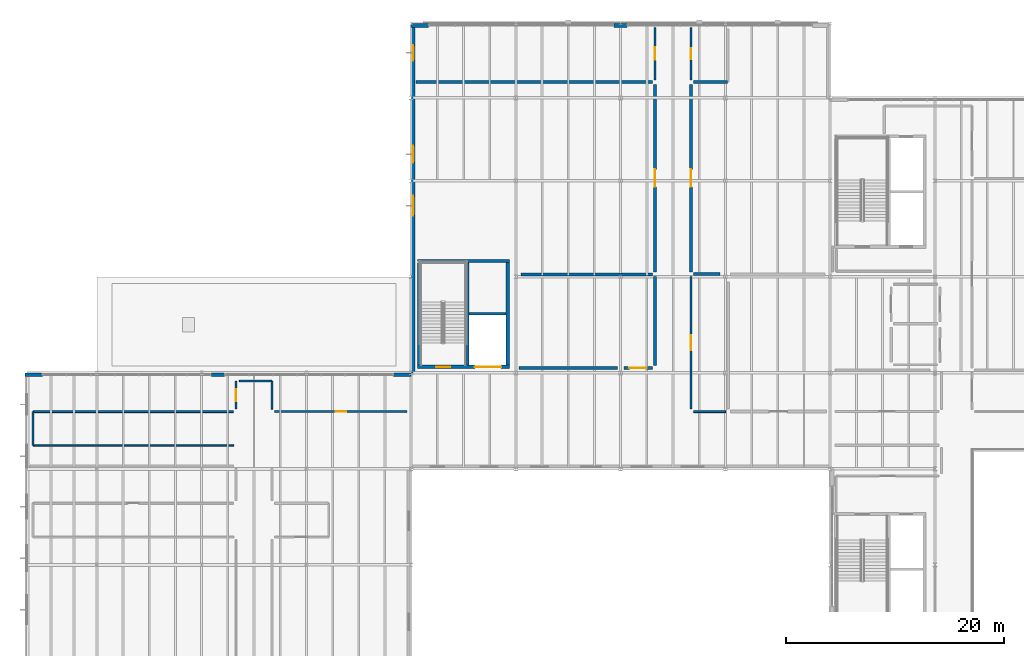
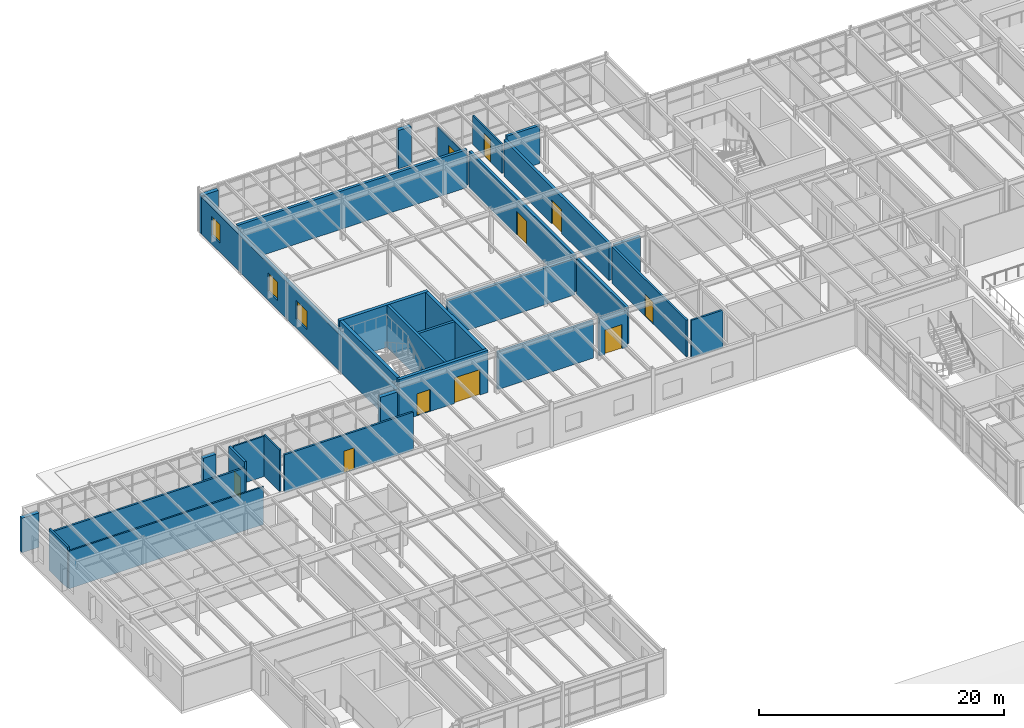
# One storey, part 53 of 69: 32 walls, 10 doors, 3 windows, 13 openings.
"""IFC4 building model written with IfcOpenShell, lengths in metres."""

from ifc_helpers import new_model, si_unit, direction, frame, frame_2d, origin, place, context, subcontext, project, spatial, rectangle, extrude, material, layer, layer_set, type_object, element, fill, save


model = new_model("IFC4")

# Units and contexts
model_context = context("Model", 3, precision=1e-05, world=origin(), true_north=direction((0.0, 1.0)))
body_context = subcontext(model_context, "Body", "Model", "MODEL_VIEW")
ifc_project = project(units=[si_unit("LENGTHUNIT", "METRE"), si_unit("AREAUNIT", "SQUARE_METRE"), si_unit("VOLUMEUNIT", "CUBIC_METRE"), si_unit("PLANEANGLEUNIT", "RADIAN"), si_unit("MASSUNIT", "GRAM", prefix="KILO")], contexts=[model_context])

# Site, building, storey
site_placement = place(None, origin())
site = spatial("IfcSite", under=ifc_project, at=site_placement, CompositionType="ELEMENT")
building_placement = place(site_placement, origin())
building = spatial("IfcBuilding", under=site, at=building_placement, Name="Sarnbrook Museum", CompositionType="ELEMENT")
storey_placement = place(building_placement, frame((0.0, 0.0, 14.60009765625)))
storey = spatial("IfcBuildingStorey", under=building, at=storey_placement, Name="L03", CompositionType="ELEMENT", Elevation=14.60009765625)

# Wall, openings, doors
ifc_material_1 = material(Name="Concrete N50 (AS 3600, f'c = 50 MPa)", Category="concrete")
ifc_layer_1 = layer(ifc_material_1, 0.300048828125)
ifc_layer_set_1 = layer_set([ifc_layer_1], Name="Concrete N50 (AS 3600, f'c = 50 MPa)")
wall_type_1 = type_object("IfcWallType", Name="CoreWall_CWRC", PredefinedType="SHEAR", material=ifc_layer_set_1)
wall_1_placement = place(storey_placement, frame((43.0, 83.75, 0.0), z_axis=(0.0, 0.0, 1.0), x_axis=(1.0, 0.0, 0.0)))
wall_1 = element("IfcWall", 1, at=wall_1_placement, inside=storey, type_object=wall_type_1, Name="Core C6 Shear Wall S L03", PredefinedType="SHEAR", context=body_context, shape_type="SweptSolid", body=[
    extrude(rectangle(XDim=8.39990234375, YDim=0.300048828125, at=frame_2d((4.199951171875, 0.0))), origin(), (0.0, 0.0, 1.0), 4.204833984375),
])
opening_1_placement = place(wall_1_placement, frame((1.715087890625, 0.0, 0.0)))
opening_1 = element("IfcOpeningElement", 2, at=opening_1_placement, cuts=wall_1, Name="Opening D-ST-ST6-L03", PredefinedType="OPENING", context=body_context, shape_type="SweptSolid", body=[
    extrude(rectangle(XDim=1.25, YDim=2.199951171875, at=frame_2d((0.625, 1.10009765625))), frame((0.0, 0.16015625, 0.0), z_axis=(0.0, -1.0, 0.0), x_axis=(1.0, 0.0, 0.0)), (0.0, 0.0, 1.0), 0.320068359375),
])
opening_2_placement = place(wall_1_placement, frame((5.25, 0.0, 0.0)))
opening_2 = element("IfcOpeningElement", 3, at=opening_2_placement, cuts=wall_1, Name="Opening LD-GL2-L03", PredefinedType="OPENING", context=body_context, shape_type="SweptSolid", body=[
    extrude(rectangle(XDim=2.39990234375, YDim=2.550048828125, at=frame_2d((1.199951171875, 1.27490234375))), frame((0.0, 0.16015625, 0.0), z_axis=(0.0, -1.0, 0.0), x_axis=(1.0, 0.0, 0.0)), (0.0, 0.0, 1.0), 0.320068359375),
])
ifc_material_2 = material(Name="Tasmanian Oak Acoustic Timber", Category="wood")
door_type_1 = type_object("IfcDoorType", Name="FireDoor_FD120", OperationType="NOTDEFINED", PredefinedType="DOOR", material=ifc_material_2)
door_1_placement = place(opening_1_placement, origin())
door_1 = element("IfcDoor", 4, at=door_1_placement, inside=storey, type_object=door_type_1, Name="Exit Stair ST6 Fire Door L03", OperationType="SINGLE_SWING_LEFT", OverallHeight=2.199951171875, OverallWidth=1.25, PredefinedType="DOOR", context=body_context, shape_type="SweptSolid", body=[
    extrude(rectangle(XDim=1.25, YDim=2.199951171875, at=frame_2d((0.625, 1.10009765625))), frame((0.0, 0.02490234375, 0.0), z_axis=(0.0, -1.0, 0.0), x_axis=(1.0, 0.0, 0.0)), (0.0, 0.0, 1.0), 0.050048828125),
])
fill(opening_1, door_1)
ifc_material_3 = material(Name="Brushed Stainless Steel Grade 316", Category="steel")
door_type_2 = type_object("IfcDoorType", Name="LiftDoor_Goods240", OperationType="DOUBLE_DOOR_SLIDING", PredefinedType="DOOR", material=ifc_material_3)
door_2_placement = place(opening_2_placement, origin())
door_2 = element("IfcDoor", 5, at=door_2_placement, inside=storey, type_object=door_type_2, Name="Lift Landing Sliding Door LD-GL2-L03", OperationType="DOUBLE_DOOR_SLIDING", OverallHeight=2.550048828125, OverallWidth=2.39990234375, PredefinedType="DOOR", context=body_context, shape_type="SweptSolid", body=[
    extrude(rectangle(XDim=2.39990234375, YDim=2.550048828125, at=frame_2d((1.199951171875, 1.27490234375))), frame((0.0, 0.02490234375, 0.0), z_axis=(0.0, -1.0, 0.0), x_axis=(1.0, 0.0, 0.0)), (0.0, 0.0, 1.0), 0.050048828125),
])
fill(opening_2, door_2)

# Walls
wall_2_placement = place(storey_placement, frame((51.39990234375, 93.449951171875, 0.0), z_axis=(0.0, 0.0, 1.0), x_axis=(-1.0, 0.0, 0.0)))
element("IfcWall", 6, at=wall_2_placement, inside=storey, type_object=wall_type_1, Name="Core C6 Shear Wall N L03", PredefinedType="SHEAR", context=body_context, shape_type="SweptSolid", body=[
    extrude(rectangle(XDim=8.39990234375, YDim=0.300048828125, at=frame_2d((4.199951171875, 0.0))), origin(), (0.0, 0.0, 1.0), 4.204833984375),
])
for number, where, z_axis, x_axis, name in (
    (7, (51.25, 83.909912109375, 0.0), (0.0, 0.0, 1.0), (0.0, 1.0, 0.0), "Core C6 Shear Wall E L03"),
    (8, (43.14990234375, 93.2900390625, 0.0), (0.0, 0.0, 1.0), (0.0, -1.0, 0.0), "Core C6 Shear Wall W L03"),
):
    element("IfcWall", number, at=place(storey_placement, frame(where, z_axis=z_axis, x_axis=x_axis)), inside=storey, type_object=wall_type_1, Name=name, PredefinedType="SHEAR", context=body_context, shape_type="SweptSolid", body=[
        extrude(rectangle(XDim=9.380126953125, YDim=0.300048828125, at=frame_2d((4.68994140625, 0.0))), origin(), (0.0, 0.0, 1.0), 4.204833984375),
    ])

# Wall, opening, door
ifc_material_4 = material(Name="Concrete N40 (AS 3600, f'c = 40 MPa)", Category="concrete")
ifc_layer_2 = layer(ifc_material_4, 0.260009765625)
ifc_layer_set_2 = layer_set([ifc_layer_2], Name="Concrete N40 (AS 3600, f'c = 40 MPa)")
wall_type_2 = type_object("IfcWallType", Name="FireWall_FW240", PredefinedType="SOLIDWALL", material=ifc_layer_set_2)
wall_3_placement = place(storey_placement, frame((64.75, 109.6298828125, 0.0), z_axis=(0.0, 0.0, 1.0), x_axis=(0.0, -1.0, 0.0)))
wall_3 = element("IfcWall", 9, at=wall_3_placement, inside=storey, type_object=wall_type_2, Name="Interior Partition Wall L03-0696", PredefinedType="SOLIDWALL", context=body_context, shape_type="SweptSolid", body=[
    extrude(rectangle(XDim=17.179931640625, YDim=0.260009765625, at=frame_2d((8.58984375, 0.0))), origin(), (0.0, 0.0, 1.0), 3.64697265625),
])
opening_3_placement = place(wall_3_placement, frame((7.7900390625, 0.0, 0.0)))
opening_3 = element("IfcOpeningElement", 10, at=opening_3_placement, cuts=wall_3, Name="Opening D-L03-200", PredefinedType="OPENING", context=body_context, shape_type="SweptSolid", body=[
    extrude(rectangle(XDim=1.60009765625, YDim=2.39990234375, at=frame_2d((0.800048828125, 1.199951171875))), frame((0.0, 0.14013671875, 0.0), z_axis=(0.0, -1.0, 0.0), x_axis=(1.0, 0.0, 0.0)), (0.0, 0.0, 1.0), 0.280029296875),
])
ifc_material_5 = material(Name="Patinated Architectural Bronze")
door_type_3 = type_object("IfcDoorType", Name="FireDoor_FD240", OperationType="NOTDEFINED", PredefinedType="DOOR", material=ifc_material_5)
door_3_placement = place(opening_3_placement, origin())
door_3 = element("IfcDoor", 11, at=door_3_placement, inside=storey, type_object=door_type_3, Name="Collection Archive Vault L03-29 Door D-L03-200", OperationType="DOUBLE_DOOR_SINGLE_SWING", OverallHeight=2.39990234375, OverallWidth=1.60009765625, PredefinedType="DOOR", context=body_context, shape_type="SweptSolid", body=[
    extrude(rectangle(XDim=1.60009765625, YDim=2.39990234375, at=frame_2d((0.800048828125, 1.199951171875))), frame((0.0, 0.02490234375, 0.0), z_axis=(0.0, -1.0, 0.0), x_axis=(1.0, 0.0, 0.0)), (0.0, 0.0, 1.0), 0.050048828125),
])
fill(opening_3, door_3)

wall_4_placement = place(storey_placement, frame((64.52001953125, 83.64990234375, 0.0), z_axis=(0.0, 0.0, 1.0), x_axis=(-1.0, 0.0, 0.0)))
wall_4 = element("IfcWall", 12, at=wall_4_placement, inside=storey, type_object=wall_type_2, Name="Interior Partition Wall L03-0698", PredefinedType="SOLIDWALL", context=body_context, shape_type="SweptSolid", body=[
    extrude(rectangle(XDim=2.63525390625, YDim=0.260009765625, at=frame_2d((1.317626953125, 0.0))), origin(), (0.0, 0.0, 1.0), 3.722900390625),
])
opening_4_placement = place(wall_4_placement, frame((0.517578125, 0.0, 0.0)))
opening_4 = element("IfcOpeningElement", 13, at=opening_4_placement, cuts=wall_4, Name="Opening D-L03-202", PredefinedType="OPENING", context=body_context, shape_type="SweptSolid", body=[
    extrude(rectangle(XDim=1.60009765625, YDim=2.39990234375, at=frame_2d((0.800048828125, 1.199951171875))), frame((0.0, 0.14013671875, 0.0), z_axis=(0.0, -1.0, 0.0), x_axis=(1.0, 0.0, 0.0)), (0.0, 0.0, 1.0), 0.280029296875),
])
door_4_placement = place(opening_4_placement, origin())
door_4 = element("IfcDoor", 14, at=door_4_placement, inside=storey, type_object=door_type_3, Name="Collection Archive Vault L03-31 Door D-L03-202", OperationType="DOUBLE_DOOR_SINGLE_SWING", OverallHeight=2.39990234375, OverallWidth=1.60009765625, PredefinedType="DOOR", context=body_context, shape_type="SweptSolid", body=[
    extrude(rectangle(XDim=1.60009765625, YDim=2.39990234375, at=frame_2d((0.800048828125, 1.199951171875))), frame((0.0, 0.02490234375, 0.0), z_axis=(0.0, -1.0, 0.0), x_axis=(1.0, 0.0, 0.0)), (0.0, 0.0, 1.0), 0.050048828125),
])
fill(opening_4, door_4)

# Walls
wall_5_placement = place(storey_placement, frame((61.315185546875, 83.64990234375, 0.0), z_axis=(0.0, 0.0, 1.0), x_axis=(-1.0, 0.0, 0.0)))
element("IfcWall", 15, at=wall_5_placement, inside=storey, type_object=wall_type_2, Name="Interior Partition Wall L03-0699", PredefinedType="SOLIDWALL", context=body_context, shape_type="SweptSolid", body=[
    extrude(rectangle(XDim=9.030517578125, YDim=0.260009765625, at=frame_2d((4.51513671875, 0.0))), origin(), (0.0, 0.0, 1.0), 3.722900390625),
])
wall_6_placement = place(storey_placement, frame((64.75, 92.030029296875, 0.0), z_axis=(0.0, 0.0, 1.0), x_axis=(0.0, -1.0, 0.0)))
element("IfcWall", 16, at=wall_6_placement, inside=storey, type_object=wall_type_2, Name="Interior Partition Wall L03-0700", PredefinedType="SOLIDWALL", context=body_context, shape_type="SweptSolid", body=[
    extrude(rectangle(XDim=8.150146484375, YDim=0.260009765625, at=frame_2d((4.0751953125, 0.0))), origin(), (0.0, 0.0, 1.0), 3.64697265625),
])

# Wall, opening, door
wall_7_placement = place(storey_placement, frame((68.050048828125, 92.449951171875, 0.0), z_axis=(0.0, 0.0, 1.0), x_axis=(0.0, 1.0, 0.0)))
wall_7 = element("IfcWall", 17, at=wall_7_placement, inside=storey, type_object=wall_type_2, Name="Interior Partition Wall L03-0703", PredefinedType="SOLIDWALL", context=body_context, shape_type="SweptSolid", body=[
    extrude(rectangle(XDim=17.179931640625, YDim=0.260009765625, at=frame_2d((8.58984375, 0.0))), origin(), (0.0, 0.0, 1.0), 3.64697265625),
])
opening_5_placement = place(wall_7_placement, frame((7.7900390625, 0.0, 0.0)))
opening_5 = element("IfcOpeningElement", 18, at=opening_5_placement, cuts=wall_7, Name="Opening D-L03-204", PredefinedType="OPENING", context=body_context, shape_type="SweptSolid", body=[
    extrude(rectangle(XDim=1.60009765625, YDim=2.39990234375, at=frame_2d((0.800048828125, 1.199951171875))), frame((0.0, 0.14013671875, 0.0), z_axis=(0.0, -1.0, 0.0), x_axis=(1.0, 0.0, 0.0)), (0.0, 0.0, 1.0), 0.280029296875),
])
door_5_placement = place(opening_5_placement, frame((1.60009765625, 0.0, 0.0), z_axis=(0.0, 0.0, 1.0), x_axis=(-1.0, 0.0, 0.0)))
door_5 = element("IfcDoor", 19, at=door_5_placement, inside=storey, type_object=door_type_3, Name="Collection Archive Vault L03-33 Door D-L03-204", OperationType="DOUBLE_DOOR_SINGLE_SWING", OverallHeight=2.39990234375, OverallWidth=1.60009765625, PredefinedType="DOOR", context=body_context, shape_type="SweptSolid", body=[
    extrude(rectangle(XDim=1.60009765625, YDim=2.39990234375, at=frame_2d((0.800048828125, 1.199951171875))), frame((0.0, 0.02490234375, 0.0), z_axis=(0.0, -1.0, 0.0), x_axis=(1.0, 0.0, 0.0)), (0.0, 0.0, 1.0), 0.050048828125),
])
fill(opening_5, door_5)

# Walls
wall_8_placement = place(storey_placement, frame((42.85009765625, 109.860107421875, 0.0), z_axis=(0.0, 0.0, 1.0), x_axis=(1.0, 0.0, 0.0)))
element("IfcWall", 20, at=wall_8_placement, inside=storey, type_object=wall_type_2, Name="Interior Partition Wall L03-0724", PredefinedType="SOLIDWALL", context=body_context, shape_type="SweptSolid", body=[
    extrude(rectangle(XDim=21.669921875, YDim=0.260009765625, at=frame_2d((10.8349609375, 0.0))), origin(), (0.0, 0.0, 1.0), 3.802978515625),
])
wall_9_placement = place(storey_placement, frame((64.52001953125, 92.219970703125, 0.0), z_axis=(0.0, 0.0, 1.0), x_axis=(-1.0, 0.0, 0.0)))
element("IfcWall", 21, at=wall_9_placement, inside=storey, type_object=wall_type_2, Name="Interior Partition Wall L03-0725", PredefinedType="SOLIDWALL", context=body_context, shape_type="SweptSolid", body=[
    extrude(rectangle(XDim=12.0400390625, YDim=0.260009765625, at=frame_2d((6.02001953125, 0.0))), origin(), (0.0, 0.0, 1.0), 3.64697265625),
])
wall_10_placement = place(storey_placement, frame((68.280029296875, 92.260009765625, 0.0), z_axis=(0.0, 0.0, 1.0), x_axis=(1.0, 0.0, 0.0)))
element("IfcWall", 22, at=wall_10_placement, inside=storey, type_object=wall_type_2, Name="Interior Partition Wall L03-0726", PredefinedType="SOLIDWALL", context=body_context, shape_type="SweptSolid", body=[
    extrude(rectangle(XDim=2.43994140625, YDim=0.260009765625, at=frame_2d((1.219970703125, 0.0))), origin(), (0.0, 0.0, 1.0), 3.64697265625),
])
wall_11_placement = place(storey_placement, frame((68.280029296875, 109.860107421875, 0.0), z_axis=(0.0, 0.0, 1.0), x_axis=(1.0, 0.0, 0.0)))
element("IfcWall", 23, at=wall_11_placement, inside=storey, type_object=wall_type_2, Name="Interior Partition Wall L03-0728", PredefinedType="SOLIDWALL", context=body_context, shape_type="SweptSolid", body=[
    extrude(rectangle(XDim=3.1298828125, YDim=0.260009765625, at=frame_2d((1.56494140625, 0.0))), origin(), (0.0, 0.0, 1.0), 3.802978515625),
])
ifc_material_6 = material(Name="Fire-Rated Acoustic Gypsum Plasterboard")
ifc_layer_3 = layer(ifc_material_6, 0.14990234375)
ifc_layer_set_3 = layer_set([ifc_layer_3], Name="Fire-Rated Acoustic Gypsum Plasterboard")
wall_type_3 = type_object("IfcWallType", Name="PartWall_P150", PredefinedType="PARTITIONING", material=ifc_layer_set_3)
wall_12_placement = place(storey_placement, frame((7.760009765625, 76.550048828125, 0.0), z_axis=(0.0, 0.0, 1.0), x_axis=(1.0, 0.0, 0.0)))
element("IfcWall", 24, at=wall_12_placement, inside=storey, type_object=wall_type_3, Name="Interior Partition Wall L03-0676", PredefinedType="PARTITIONING", context=body_context, shape_type="SweptSolid", body=[
    extrude(rectangle(XDim=18.360107421875, YDim=0.14990234375, at=frame_2d((9.18017578125, 0.0))), origin(), (0.0, 0.0, 1.0), 3.762939453125),
])
wall_13_placement = place(storey_placement, frame((29.639892578125, 82.449951171875, 0.0), z_axis=(0.0, 0.0, 1.0), x_axis=(-1.0, 0.0, 0.0)))
element("IfcWall", 25, at=wall_13_placement, inside=storey, type_object=wall_type_3, Name="Interior Partition Wall L03-0690", PredefinedType="PARTITIONING", context=body_context, shape_type="SweptSolid", body=[
    extrude(rectangle(XDim=2.989990234375, YDim=0.14990234375, at=frame_2d((1.4951171875, 0.0))), origin(), (0.0, 0.0, 1.0), 4.012939453125),
])

# Wall, opening, door
wall_14_placement = place(storey_placement, frame((64.75, 114.840087890625, 0.0), z_axis=(0.0, 0.0, 1.0), x_axis=(0.0, -1.0, 0.0)))
wall_14 = element("IfcWall", 26, at=wall_14_placement, inside=storey, type_object=wall_type_3, Name="Interior Partition Wall L03-0697", PredefinedType="PARTITIONING", context=body_context, shape_type="SweptSolid", body=[
    extrude(rectangle(XDim=4.7900390625, YDim=0.14990234375, at=frame_2d((2.39501953125, 0.0))), origin(), (0.0, 0.0, 1.0), 2.89990234375),
])
opening_6_placement = place(wall_14_placement, frame((1.81494140625, 0.0, 0.0)))
opening_6 = element("IfcOpeningElement", 27, at=opening_6_placement, cuts=wall_14, Name="Opening D-L03-201", PredefinedType="OPENING", context=body_context, shape_type="SweptSolid", body=[
    extrude(rectangle(XDim=1.159912109375, YDim=2.159912109375, at=frame_2d((0.580078125, 1.080078125))), frame((0.0, 0.0849609375, 0.0), z_axis=(0.0, -1.0, 0.0), x_axis=(1.0, 0.0, 0.0)), (0.0, 0.0, 1.0), 0.169921875),
])
door_type_4 = type_object("IfcDoorType", Name="IntDoor_DT11", OperationType="NOTDEFINED", PredefinedType="DOOR", material=ifc_material_2)
door_6_placement = place(opening_6_placement, origin())
door_6 = element("IfcDoor", 28, at=door_6_placement, inside=storey, type_object=door_type_4, Name="Conservation Science Laboratory L03-30 Door D-L03-201", OperationType="SINGLE_SWING_LEFT", OverallHeight=2.159912109375, OverallWidth=1.159912109375, PredefinedType="DOOR", context=body_context, shape_type="SweptSolid", body=[
    extrude(rectangle(XDim=1.159912109375, YDim=2.159912109375, at=frame_2d((0.580078125, 1.080078125))), frame((0.0, 0.02490234375, 0.0), z_axis=(0.0, -1.0, 0.0), x_axis=(1.0, 0.0, 0.0)), (0.0, 0.0, 1.0), 0.050048828125),
])
fill(opening_6, door_6)

wall_15_placement = place(storey_placement, frame((68.050048828125, 110.050048828125, 0.0), z_axis=(0.0, 0.0, 1.0), x_axis=(0.0, 1.0, 0.0)))
wall_15 = element("IfcWall", 29, at=wall_15_placement, inside=storey, type_object=wall_type_3, Name="Interior Partition Wall L03-0704", PredefinedType="PARTITIONING", context=body_context, shape_type="SweptSolid", body=[
    extrude(rectangle(XDim=4.7900390625, YDim=0.14990234375, at=frame_2d((2.39501953125, 0.0))), origin(), (0.0, 0.0, 1.0), 2.89990234375),
])
opening_7_placement = place(wall_15_placement, frame((1.885009765625, 0.0, 0.0)))
opening_7 = element("IfcOpeningElement", 30, at=opening_7_placement, cuts=wall_15, Name="Opening D-L03-205", PredefinedType="OPENING", context=body_context, shape_type="SweptSolid", body=[
    extrude(rectangle(XDim=1.02001953125, YDim=2.239990234375, at=frame_2d((0.510009765625, 1.1201171875))), frame((0.0, 0.0849609375, 0.0), z_axis=(0.0, -1.0, 0.0), x_axis=(1.0, 0.0, 0.0)), (0.0, 0.0, 1.0), 0.169921875),
])
door_type_5 = type_object("IfcDoorType", Name="IntDoor_DT15", OperationType="NOTDEFINED", PredefinedType="DOOR", material=ifc_material_2)
door_7_placement = place(opening_7_placement, frame((1.02001953125, 0.0, 0.0), z_axis=(0.0, 0.0, 1.0), x_axis=(-1.0, 0.0, 0.0)))
door_7 = element("IfcDoor", 31, at=door_7_placement, inside=storey, type_object=door_type_5, Name="Conservation Science Laboratory L03-34 Door D-L03-205", OperationType="SINGLE_SWING_LEFT", OverallHeight=2.239990234375, OverallWidth=1.02001953125, PredefinedType="DOOR", context=body_context, shape_type="SweptSolid", body=[
    extrude(rectangle(XDim=1.02001953125, YDim=2.239990234375, at=frame_2d((0.510009765625, 1.1201171875))), frame((0.0, 0.02490234375, 0.0), z_axis=(0.0, -1.0, 0.0), x_axis=(1.0, 0.0, 0.0)), (0.0, 0.0, 1.0), 0.050048828125),
])
fill(opening_7, door_7)

# Walls
ifc_layer_4 = layer(ifc_material_6, 0.1650390625)
ifc_layer_set_4 = layer_set([ifc_layer_4], Name="Fire-Rated Acoustic Gypsum Plasterboard")
wall_type_4 = type_object("IfcWallType", Name="PartWall_P165", PredefinedType="PARTITIONING", material=ifc_layer_set_4)
wall_16_placement = place(storey_placement, frame((7.75, 79.639892578125, 0.0), z_axis=(0.0, 0.0, 1.0), x_axis=(0.0, -1.0, 0.0)))
element("IfcWall", 32, at=wall_16_placement, inside=storey, type_object=wall_type_4, Name="Interior Partition Wall L03-0675", PredefinedType="PARTITIONING", context=body_context, shape_type="SweptSolid", body=[
    extrude(rectangle(XDim=3.079833984375, YDim=0.1650390625, at=frame_2d((1.5400390625, 0.0))), origin(), (0.0, 0.0, 1.0), 4.1298828125),
])
wall_17_placement = place(storey_placement, frame((29.64990234375, 79.8798828125, 0.0), z_axis=(0.0, 0.0, 1.0), x_axis=(0.0, 1.0, 0.0)))
element("IfcWall", 33, at=wall_17_placement, inside=storey, type_object=wall_type_4, Name="Interior Partition Wall L03-0689", PredefinedType="PARTITIONING", context=body_context, shape_type="SweptSolid", body=[
    extrude(rectangle(XDim=2.56005859375, YDim=0.1650390625, at=frame_2d((1.280029296875, 0.0))), origin(), (0.0, 0.0, 1.0), 4.1298828125),
])
ifc_layer_5 = layer(ifc_material_6, 0.179931640625)
ifc_layer_set_5 = layer_set([ifc_layer_5], Name="Fire-Rated Acoustic Gypsum Plasterboard")
wall_type_5 = type_object("IfcWallType", Name="PartWall_P180", PredefinedType="PARTITIONING", material=ifc_layer_set_5)
wall_18_placement = place(storey_placement, frame((26.1201171875, 79.64990234375, 0.0), z_axis=(0.0, 0.0, 1.0), x_axis=(-1.0, 0.0, 0.0)))
element("IfcWall", 34, at=wall_18_placement, inside=storey, type_object=wall_type_5, Name="Interior Partition Wall L03-0674", PredefinedType="PARTITIONING", context=body_context, shape_type="SweptSolid", body=[
    extrude(rectangle(XDim=18.360107421875, YDim=0.179931640625, at=frame_2d((9.18017578125, 0.0))), origin(), (0.0, 0.0, 1.0), 3.762939453125),
])

# Wall, opening, door
wall_19_placement = place(storey_placement, frame((42.0400390625, 79.64990234375, 0.0), z_axis=(0.0, 0.0, 1.0), x_axis=(-1.0, 0.0, 0.0)))
wall_19 = element("IfcWall", 35, at=wall_19_placement, inside=storey, type_object=wall_type_5, Name="Interior Partition Wall L03-0688", PredefinedType="PARTITIONING", context=body_context, shape_type="SweptSolid", body=[
    extrude(rectangle(XDim=12.16015625, YDim=0.179931640625, at=frame_2d((6.080078125, 0.0))), origin(), (0.0, 0.0, 1.0), 3.762939453125),
])
opening_8_placement = place(wall_19_placement, frame((5.594970703125, 0.0, 0.0)))
opening_8 = element("IfcOpeningElement", 36, at=opening_8_placement, cuts=wall_19, Name="Opening D-L03-198", PredefinedType="OPENING", context=body_context, shape_type="SweptSolid", body=[
    extrude(rectangle(XDim=0.969970703125, YDim=2.159912109375, at=frame_2d((0.48486328125, 1.080078125))), frame((0.0, 0.10009765625, 0.0), z_axis=(0.0, -1.0, 0.0), x_axis=(1.0, 0.0, 0.0)), (0.0, 0.0, 1.0), 0.199951171875),
])
door_type_6 = type_object("IfcDoorType", Name="IntDoor_DT08", OperationType="NOTDEFINED", PredefinedType="DOOR", material=ifc_material_2)
door_8_placement = place(opening_8_placement, origin())
door_8 = element("IfcDoor", 37, at=door_8_placement, inside=storey, type_object=door_type_6, Name="First Peoples Cultural Heritage Gallery L03-27 Door D-L03-198", OperationType="SINGLE_SWING_LEFT", OverallHeight=2.159912109375, OverallWidth=0.969970703125, PredefinedType="DOOR", context=body_context, shape_type="SweptSolid", body=[
    extrude(rectangle(XDim=0.969970703125, YDim=2.159912109375, at=frame_2d((0.48486328125, 1.080078125))), frame((0.0, 0.02490234375, 0.0), z_axis=(0.0, -1.0, 0.0), x_axis=(1.0, 0.0, 0.0)), (0.0, 0.0, 1.0), 0.050048828125),
])
fill(opening_8, door_8)

# Wall
wall_20_placement = place(storey_placement, frame((71.22998046875, 79.64990234375, 0.0), z_axis=(0.0, 0.0, 1.0), x_axis=(-1.0, 0.0, 0.0)))
element("IfcWall", 38, at=wall_20_placement, inside=storey, type_object=wall_type_5, Name="Interior Partition Wall L03-0702", PredefinedType="PARTITIONING", context=body_context, shape_type="SweptSolid", body=[
    extrude(rectangle(XDim=2.949951171875, YDim=0.179931640625, at=frame_2d((1.47509765625, 0.0))), origin(), (0.0, 0.0, 1.0), 3.722900390625),
])

# Wall, opening, door
ifc_layer_6 = layer(ifc_material_6, 0.195068359375)
ifc_layer_set_6 = layer_set([ifc_layer_6], Name="Fire-Rated Acoustic Gypsum Plasterboard")
wall_type_6 = type_object("IfcWallType", Name="PartWall_P195", PredefinedType="PARTITIONING", material=ifc_layer_set_6)
wall_21_placement = place(storey_placement, frame((26.35009765625, 82.43994140625, 0.0), z_axis=(0.0, 0.0, 1.0), x_axis=(0.0, -1.0, 0.0)))
wall_21 = element("IfcWall", 39, at=wall_21_placement, inside=storey, type_object=wall_type_6, Name="Interior Partition Wall L03-0673", PredefinedType="PARTITIONING", context=body_context, shape_type="SweptSolid", body=[
    extrude(rectangle(XDim=2.56005859375, YDim=0.195068359375, at=frame_2d((1.280029296875, 0.0))), origin(), (0.0, 0.0, 1.0), 4.1298828125),
])
opening_9_placement = place(wall_21_placement, frame((0.72998046875, 0.0, 0.0)))
opening_9 = element("IfcOpeningElement", 40, at=opening_9_placement, cuts=wall_21, Name="Opening D-L03-195", PredefinedType="OPENING", context=body_context, shape_type="SweptSolid", body=[
    extrude(rectangle(XDim=1.10009765625, YDim=2.080078125, at=frame_2d((0.550048828125, 1.0400390625))), frame((0.0, 0.107421875, 0.0), z_axis=(0.0, -1.0, 0.0), x_axis=(1.0, 0.0, 0.0)), (0.0, 0.0, 1.0), 0.215087890625),
])
door_type_7 = type_object("IfcDoorType", Name="IntDoor_DT05", OperationType="NOTDEFINED", PredefinedType="DOOR", material=ifc_material_2)
door_9_placement = place(opening_9_placement, origin())
door_9 = element("IfcDoor", 41, at=door_9_placement, inside=storey, type_object=door_type_7, Name="Collection Digitisation Studio L03-24 Door D-L03-195", OperationType="SINGLE_SWING_RIGHT", OverallHeight=2.080078125, OverallWidth=1.10009765625, PredefinedType="DOOR", context=body_context, shape_type="SweptSolid", body=[
    extrude(rectangle(XDim=1.10009765625, YDim=2.080078125, at=frame_2d((0.550048828125, 1.0400390625))), frame((0.0, 0.02490234375, 0.0), z_axis=(0.0, -1.0, 0.0), x_axis=(1.0, 0.0, 0.0)), (0.0, 0.0, 1.0), 0.050048828125),
])
fill(opening_9, door_9)

wall_22_placement = place(storey_placement, frame((68.050048828125, 79.8798828125, 0.0), z_axis=(0.0, 0.0, 1.0), x_axis=(0.0, 1.0, 0.0)))
wall_22 = element("IfcWall", 42, at=wall_22_placement, inside=storey, type_object=wall_type_6, Name="Interior Partition Wall L03-0701", PredefinedType="PARTITIONING", context=body_context, shape_type="SweptSolid", body=[
    extrude(rectangle(XDim=12.150146484375, YDim=0.195068359375, at=frame_2d((6.0751953125, 0.0))), origin(), (0.0, 0.0, 1.0), 3.64697265625),
])
opening_10_placement = place(wall_22_placement, frame((5.405029296875, 0.0, 0.0)))
opening_10 = element("IfcOpeningElement", 43, at=opening_10_placement, cuts=wall_22, Name="Opening D-L03-203", PredefinedType="OPENING", context=body_context, shape_type="SweptSolid", body=[
    extrude(rectangle(XDim=1.340087890625, YDim=2.159912109375, at=frame_2d((0.669921875, 1.080078125))), frame((0.0, 0.107421875, 0.0), z_axis=(0.0, -1.0, 0.0), x_axis=(1.0, 0.0, 0.0)), (0.0, 0.0, 1.0), 0.215087890625),
])
door_type_8 = type_object("IfcDoorType", Name="IntDoor_DT13", OperationType="NOTDEFINED", PredefinedType="DOOR", material=ifc_material_2)
door_10_placement = place(opening_10_placement, frame((1.340087890625, 0.0, 0.0), z_axis=(0.0, 0.0, 1.0), x_axis=(-1.0, 0.0, 0.0)))
door_10 = element("IfcDoor", 44, at=door_10_placement, inside=storey, type_object=door_type_8, Name="Conservation Science Laboratory L03-32 Door D-L03-203", OperationType="SINGLE_SWING_RIGHT", OverallHeight=2.159912109375, OverallWidth=1.340087890625, PredefinedType="DOOR", context=body_context, shape_type="SweptSolid", body=[
    extrude(rectangle(XDim=1.340087890625, YDim=2.159912109375, at=frame_2d((0.669921875, 1.080078125))), frame((0.0, 0.02490234375, 0.0), z_axis=(0.0, -1.0, 0.0), x_axis=(1.0, 0.0, 0.0)), (0.0, 0.0, 1.0), 0.050048828125),
])
fill(opening_10, door_10)

# Walls
ifc_layer_7 = layer(ifc_material_4, 0.239990234375)
ifc_layer_set_7 = layer_set([ifc_layer_7], Name="Concrete N40 (AS 3600, f'c = 40 MPa)")
wall_type_7 = type_object("IfcWallType", Name="ShaftWall_SWRC", PredefinedType="SOLIDWALL", material=ifc_layer_set_7)
wall_23_placement = place(storey_placement, frame((47.570068359375, 83.909912109375, 0.0), z_axis=(0.0, 0.0, 1.0), x_axis=(0.0, 1.0, 0.0)))
element("IfcWall", 45, at=wall_23_placement, inside=storey, type_object=wall_type_7, Name="Stairwell ST6 Fire Shaft Wall L03", PredefinedType="SOLIDWALL", context=body_context, shape_type="SweptSolid", body=[
    extrude(rectangle(XDim=9.380126953125, YDim=0.239990234375, at=frame_2d((4.68994140625, 0.0))), origin(), (0.0, 0.0, 1.0), 4.204833984375),
])
wall_24_placement = place(storey_placement, frame((47.699951171875, 88.6201171875, 0.0), z_axis=(0.0, 0.0, 1.0), x_axis=(1.0, 0.0, 0.0)))
element("IfcWall", 46, at=wall_24_placement, inside=storey, type_object=wall_type_7, Name="Lift GL2 Shaft Rear Wall L03", PredefinedType="SOLIDWALL", context=body_context, shape_type="SweptSolid", body=[
    extrude(rectangle(XDim=3.39013671875, YDim=0.239990234375, at=frame_2d((1.695068359375, 0.0))), origin(), (0.0, 0.0, 1.0), 4.204833984375),
])
ifc_material_7 = material(Name="Barrabool Sandstone Ashlar Cladding", Category="masonry")
ifc_layer_8 = layer(ifc_material_7, 0.360107421875)
ifc_layer_set_8 = layer_set([ifc_layer_8], Name="Barrabool Sandstone Ashlar Cladding")
wall_type_8 = type_object("IfcWallType", Name="Wall_SandstoneExt360", PredefinedType="SOLIDWALL", material=ifc_layer_set_8)
wall_25_placement = place(storey_placement, frame((62.199951171875, 115.02001953125, 0.0), z_axis=(0.0, 0.0, 1.0), x_axis=(-1.0, 0.0, 0.0)))
element("IfcWall", 47, at=wall_25_placement, inside=storey, type_object=wall_type_8, Name="Classical Sandstone Facade Pier L03-8.2", PredefinedType="SOLIDWALL", context=body_context, shape_type="SweptSolid", body=[
    extrude(rectangle(XDim=1.199951171875, YDim=0.360107421875, at=frame_2d((0.60009765625, 0.0))), origin(), (0.0, 0.0, 1.0), 3.81787109375),
])
wall_26_placement = place(storey_placement, frame((44.0, 115.02001953125, 0.0), z_axis=(0.0, 0.0, 1.0), x_axis=(-1.0, 0.0, 0.0)))
element("IfcWall", 48, at=wall_26_placement, inside=storey, type_object=wall_type_8, Name="Classical Sandstone Facade Pier L03-8.3", PredefinedType="SOLIDWALL", context=body_context, shape_type="SweptSolid", body=[
    extrude(rectangle(XDim=1.60009765625, YDim=0.360107421875, at=frame_2d((0.800048828125, 0.0))), origin(), (0.0, 0.0, 1.0), 3.81787109375),
])

# Wall, openings, windows
wall_27_placement = place(storey_placement, frame((42.580078125, 115.013916015625, 0.0), z_axis=(0.0, 0.0, 1.0), x_axis=(0.0, -1.0, 0.0)))
wall_27 = element("IfcWall", 49, at=wall_27_placement, inside=storey, type_object=wall_type_8, Name="Classical Sandstone Facade Wall L03-09", PredefinedType="SOLIDWALL", context=body_context, shape_type="SweptSolid", body=[
    extrude(rectangle(XDim=31.81396484375, YDim=0.360107421875, at=frame_2d((15.906982421875, 0.0))), origin(), (0.0, 0.0, 1.0), 3.661865234375),
])
opening_11_placement = place(wall_27_placement, frame((1.800048828125, 0.0, 0.89990234375)))
opening_11 = element("IfcOpeningElement", 50, at=opening_11_placement, cuts=wall_27, Name="Opening WT-15", PredefinedType="OPENING", context=body_context, shape_type="SweptSolid", body=[
    extrude(rectangle(XDim=1.39990234375, YDim=1.85009765625, at=frame_2d((0.699951171875, 0.925048828125))), frame((0.0, 0.18994140625, 0.0), z_axis=(0.0, -1.0, 0.0), x_axis=(1.0, 0.0, 0.0)), (0.0, 0.0, 1.0), 0.380126953125),
])
opening_12_placement = place(wall_27_placement, frame((11.0, 0.0, 0.89990234375)))
opening_12 = element("IfcOpeningElement", 51, at=opening_12_placement, cuts=wall_27, Name="Opening WT-16", PredefinedType="OPENING", context=body_context, shape_type="SweptSolid", body=[
    extrude(rectangle(XDim=1.550048828125, YDim=1.85009765625, at=frame_2d((0.77490234375, 0.925048828125))), frame((0.0, 0.18994140625, 0.0), z_axis=(0.0, -1.0, 0.0), x_axis=(1.0, 0.0, 0.0)), (0.0, 0.0, 1.0), 0.380126953125),
])
opening_13_placement = place(wall_27_placement, frame((15.60009765625, 0.0, 0.89990234375)))
opening_13 = element("IfcOpeningElement", 52, at=opening_13_placement, cuts=wall_27, Name="Opening WT-17", PredefinedType="OPENING", context=body_context, shape_type="SweptSolid", body=[
    extrude(rectangle(XDim=1.820068359375, YDim=1.85009765625, at=frame_2d((0.91015625, 0.925048828125))), frame((0.0, 0.18994140625, 0.0), z_axis=(0.0, -1.0, 0.0), x_axis=(1.0, 0.0, 0.0)), (0.0, 0.0, 1.0), 0.380126953125),
])
ifc_material_8 = material(Name="Double-Glazed Low-Iron Laminated Safety Glass", Category="glass")
window_type_1 = type_object("IfcWindowType", Name="Window_Classical_WT15", PartitioningType="SINGLE_PANEL", PredefinedType="WINDOW", material=ifc_material_8)
window_1_placement = place(opening_11_placement, origin())
window_1 = element("IfcWindow", 53, at=window_1_placement, inside=storey, type_object=window_type_1, Name="Classical Bronze Casement Window WIN:L03:0103", OverallHeight=1.85009765625, OverallWidth=1.39990234375, PartitioningType="SINGLE_PANEL", PredefinedType="WINDOW", context=body_context, shape_type="SweptSolid", body=[
    extrude(rectangle(XDim=1.39990234375, YDim=1.85009765625, at=frame_2d((0.699951171875, 0.925048828125))), frame((0.0, 0.030029296875, 0.0), z_axis=(0.0, -1.0, 0.0), x_axis=(1.0, 0.0, 0.0)), (0.0, 0.0, 1.0), 0.06005859375),
])
fill(opening_11, window_1)
window_type_2 = type_object("IfcWindowType", Name="Window_Classical_WT16", PartitioningType="SINGLE_PANEL", PredefinedType="WINDOW", material=ifc_material_8)
window_2_placement = place(opening_12_placement, origin())
window_2 = element("IfcWindow", 54, at=window_2_placement, inside=storey, type_object=window_type_2, Name="Classical Bronze Casement Window WIN:L03:0104", OverallHeight=1.85009765625, OverallWidth=1.550048828125, PartitioningType="SINGLE_PANEL", PredefinedType="WINDOW", context=body_context, shape_type="SweptSolid", body=[
    extrude(rectangle(XDim=1.550048828125, YDim=1.85009765625, at=frame_2d((0.77490234375, 0.925048828125))), frame((0.0, 0.030029296875, 0.0), z_axis=(0.0, -1.0, 0.0), x_axis=(1.0, 0.0, 0.0)), (0.0, 0.0, 1.0), 0.06005859375),
])
fill(opening_12, window_2)
window_type_3 = type_object("IfcWindowType", Name="Window_Classical_WT17", PartitioningType="SINGLE_PANEL", PredefinedType="WINDOW", material=ifc_material_8)
window_3_placement = place(opening_13_placement, origin())
window_3 = element("IfcWindow", 55, at=window_3_placement, inside=storey, type_object=window_type_3, Name="Classical Bronze Casement Window WIN:L03:0105", OverallHeight=1.85009765625, OverallWidth=1.820068359375, PartitioningType="SINGLE_PANEL", PredefinedType="WINDOW", context=body_context, shape_type="SweptSolid", body=[
    extrude(rectangle(XDim=1.820068359375, YDim=1.85009765625, at=frame_2d((0.91015625, 0.925048828125))), frame((0.0, 0.030029296875, 0.0), z_axis=(0.0, -1.0, 0.0), x_axis=(1.0, 0.0, 0.0)), (0.0, 0.0, 1.0), 0.06005859375),
])
fill(opening_13, window_3)

# Walls
wall_28_placement = place(storey_placement, frame((42.39990234375, 83.02001953125, 0.0), z_axis=(0.0, 0.0, 1.0), x_axis=(-1.0, 0.0, 0.0)))
element("IfcWall", 56, at=wall_28_placement, inside=storey, type_object=wall_type_8, Name="Classical Sandstone Facade Pier L03-10.1", PredefinedType="SOLIDWALL", context=body_context, shape_type="SweptSolid", body=[
    extrude(rectangle(XDim=1.599853515625, YDim=0.360107421875, at=frame_2d((0.7998046875, 0.0))), origin(), (0.0, 0.0, 1.0), 3.661865234375),
])
wall_29_placement = place(storey_placement, frame((25.300048828125, 83.02001953125, 0.0), z_axis=(0.0, 0.0, 1.0), x_axis=(-1.0, 0.0, 0.0)))
element("IfcWall", 57, at=wall_29_placement, inside=storey, type_object=wall_type_8, Name="Classical Sandstone Facade Pier L03-10.2", PredefinedType="SOLIDWALL", context=body_context, shape_type="SweptSolid", body=[
    extrude(rectangle(XDim=1.199951171875, YDim=0.360107421875, at=frame_2d((0.60009765625, 0.0))), origin(), (0.0, 0.0, 1.0), 3.434814453125),
])
wall_30_placement = place(storey_placement, frame((8.60009765625, 83.02001953125, 0.0), z_axis=(0.0, 0.0, 1.0), x_axis=(-1.0, 0.0, 0.0)))
element("IfcWall", 58, at=wall_30_placement, inside=storey, type_object=wall_type_8, Name="Classical Sandstone Facade Pier L03-10.3", PredefinedType="SOLIDWALL", context=body_context, shape_type="SweptSolid", body=[
    extrude(rectangle(XDim=1.60009765625, YDim=0.360107421875, at=frame_2d((0.800048828125, 0.0))), origin(), (0.0, 0.0, 1.0), 3.434814453125),
])

save(model, "model.ifc")
